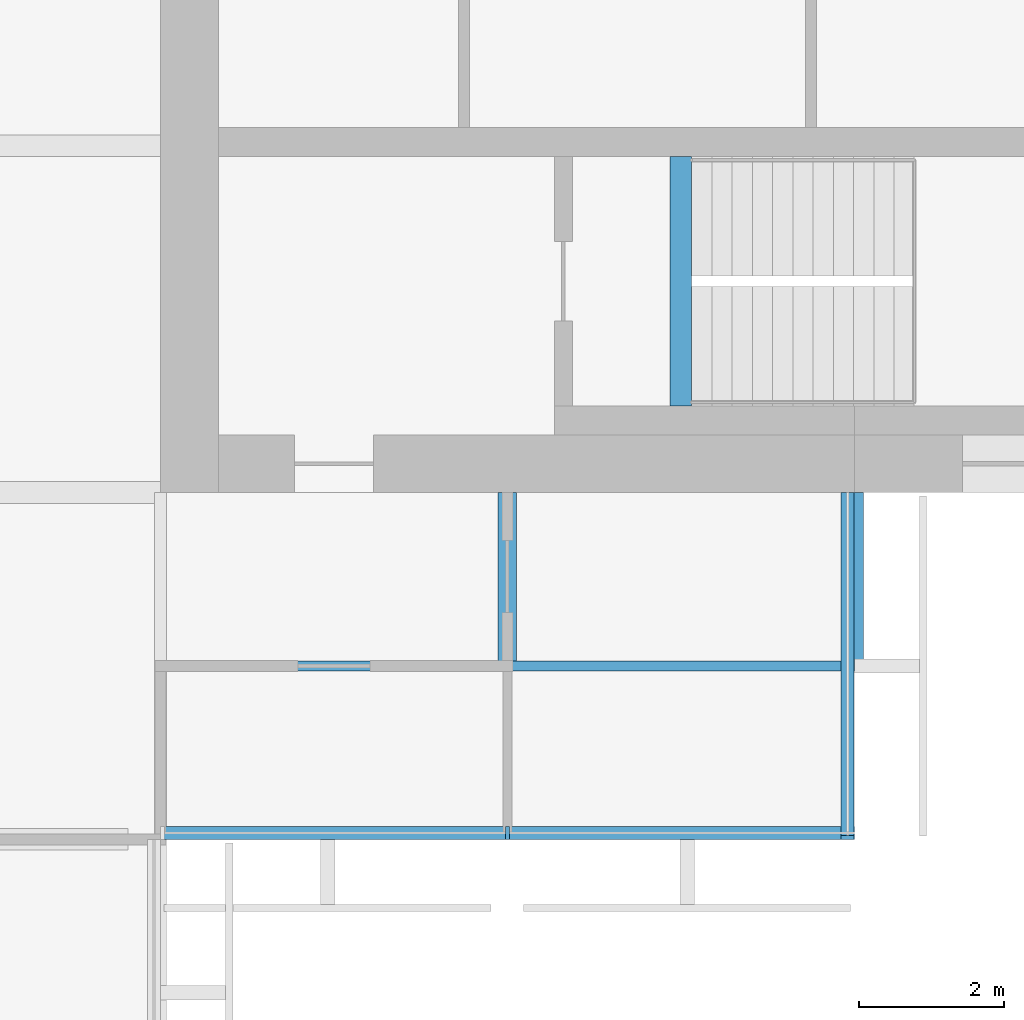
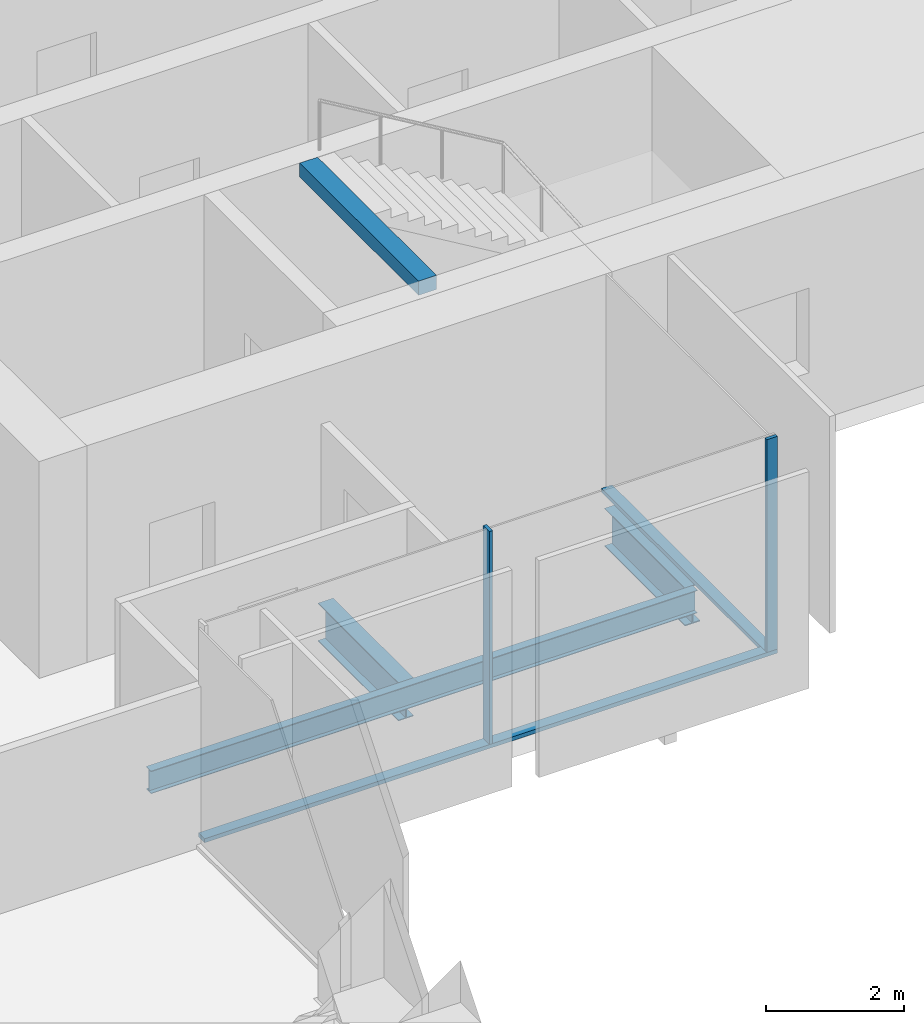
# One storey, part 4 of 13: 4 beams, 4 members, 2 elements without a shape of their own.
"""IFC4 building model written with IfcOpenShell, lengths in metres."""

from ifc_helpers import new_model, si_unit, direction, frame, origin, origin_2d, place, context, subcontext, project, spatial, rectangle, i_section, extrude, material, material_profile, profile_set, type_object, element, aggregate, save


model = new_model("IFC4")

# Units and contexts
model_context = context("Model", 3, precision=1e-05, world=origin(), true_north=direction((0.0, 1.0)))
body_context = subcontext(model_context, "Body", "Model", "MODEL_VIEW")
ifc_project = project(units=[si_unit("LENGTHUNIT", "METRE"), si_unit("AREAUNIT", "SQUARE_METRE"), si_unit("VOLUMEUNIT", "CUBIC_METRE"), si_unit("PLANEANGLEUNIT", "RADIAN"), si_unit("MASSUNIT", "GRAM", prefix="KILO")], contexts=[model_context])

# Site, building, storey
site_placement = place(None, origin())
site = spatial("IfcSite", under=ifc_project, at=site_placement, CompositionType="ELEMENT")
building_placement = place(site_placement, origin())
building = spatial("IfcBuilding", under=site, at=building_placement, Name="Baori Bourse Tower", CompositionType="ELEMENT")
storey_placement = place(building_placement, frame((0.0, 0.0, 193.199951171875)))
storey = spatial("IfcBuildingStorey", under=building, at=storey_placement, Name="L41", CompositionType="ELEMENT", Elevation=193.199951171875)

# Curtain wall, member
ifc_material_1 = material(Name="Pale anodised aluminium", Category="aluminium")
curtain_wall_type = type_object("IfcCurtainWallType", Name="CW2 Curtain wall", PredefinedType="NOTDEFINED", material=ifc_material_1)
curtain_wall_1_placement = place(storey_placement, origin())
curtain_wall_1 = element("IfcCurtainWall", 1, at=curtain_wall_1_placement, inside=storey, type_object=curtain_wall_type, Name="Curtain wall CW2 L41 13", PredefinedType="NOTDEFINED")
ifc_material_2 = material(Name="Pale anodised aluminium", Category="aluminium")
ifc_material_profile_1 = material_profile(ifc_material_2, rectangle(XDim=0.179931640625, YDim=0.054931640625, at=origin_2d()), Name="Mullion 55x180")
ifc_profile_set_1 = profile_set([ifc_material_profile_1], Name="Pale anodised aluminium")
member_type_1 = type_object("IfcMemberType", Name="CW2 Curtain wall mullion", PredefinedType="MULLION", material=ifc_profile_set_1)
member_1_placement = place(storey_placement, frame((43.199951171875, 4.889892578125, 0.070068359375), z_axis=(0.0, 0.0, 1.0), x_axis=(0.0, 1.0, 0.0)))
member_1 = element("IfcMember", 2, at=member_1_placement, type_object=member_type_1, Name="Curtain wall CW2 mullion", PredefinedType="MULLION", context=body_context, shape_type="SweptSolid", body=[
    extrude(rectangle(XDim=0.179931640625, YDim=0.054931640625, at=origin_2d()), origin(), (0.0, 0.0, 1.0), 3.77001953125),
])

curtain_wall_2_placement = place(storey_placement, origin())
curtain_wall_2 = element("IfcCurtainWall", 3, at=curtain_wall_2_placement, inside=storey, type_object=curtain_wall_type, Name="Curtain wall CW2 L41 14", PredefinedType="NOTDEFINED")
member_2_placement = place(storey_placement, frame((47.909912109375, 4.827392578125, 0.070068359375), z_axis=(0.0, 0.0, 1.0), x_axis=(-1.0, 0.0, 0.0)))
member_2 = element("IfcMember", 4, at=member_2_placement, type_object=member_type_1, Name="Curtain wall CW2 mullion", PredefinedType="MULLION", context=body_context, shape_type="SweptSolid", body=[
    extrude(rectangle(XDim=0.179931640625, YDim=0.054931640625, at=origin_2d()), origin(), (0.0, 0.0, 1.0), 3.77001953125),
])

# Member
ifc_material_3 = material(Name="Pale anodised aluminium", Category="aluminium")
ifc_material_profile_2 = material_profile(ifc_material_3, rectangle(XDim=0.179931640625, YDim=0.070068359375, at=origin_2d()), Name="Transom 70x180")
ifc_profile_set_2 = profile_set([ifc_material_profile_2], Name="Pale anodised aluminium")
member_type_2 = type_object("IfcMemberType", Name="CW2 Curtain wall transom", PredefinedType="USERDEFINED", material=ifc_profile_set_2)
member_3_placement = place(storey_placement, frame((38.39990234375, 4.889892578125, 0.03515625), z_axis=(1.0, 0.0, 0.0), x_axis=(0.0, 1.0, 0.0)))
member_3 = element("IfcMember", 5, at=member_3_placement, type_object=member_type_2, Name="Curtain wall CW2 sill rail", ObjectType="TRANSOM", PredefinedType="USERDEFINED", context=body_context, shape_type="SweptSolid", body=[
    extrude(rectangle(XDim=0.179931640625, YDim=0.070068359375, at=origin_2d()), origin(), (0.0, 0.0, 1.0), 9.60009765625),
])

aggregate(curtain_wall_1, [member_3, member_1])

member_4_placement = place(storey_placement, frame((47.909912109375, 4.800048828125, 0.03515625), z_axis=(0.0, 1.0, 0.0), x_axis=(-1.0, 0.0, 0.0)))
member_4 = element("IfcMember", 6, at=member_4_placement, type_object=member_type_2, Name="Curtain wall CW2 sill rail", ObjectType="TRANSOM", PredefinedType="USERDEFINED", context=body_context, shape_type="SweptSolid", body=[
    extrude(rectangle(XDim=0.179931640625, YDim=0.070068359375, at=origin_2d()), origin(), (0.0, 0.0, 1.0), 4.800048828125),
])

aggregate(curtain_wall_2, [member_4, member_2])

# Beams
ifc_material_4 = material(Name="Steel A992 Gr 50", Category="steel")
ifc_material_profile_3 = material_profile(ifc_material_4, i_section(OverallWidth=0.25390625, OverallDepth=0.67822265625, WebThickness=0.01171875, FlangeThickness=0.016357421875, at=origin_2d()), Name="W27x84")
ifc_profile_set_3 = profile_set([ifc_material_profile_3], Name="Steel A992 Gr 50")
beam_type_1 = type_object("IfcBeamType", Name="Core bracket W27x84", PredefinedType="BEAM", material=ifc_profile_set_3)
for number, where, z_axis, x_axis, name in (
    (7, (43.199951171875, 7.270263671875, -0.63916015625), (0.0, 1.0, 0.0), (-1.0, 0.0, 0.0), "Core bracket L41"),
    (8, (48.0, 7.270263671875, -0.63916015625), (0.0, 1.0, 0.0), (-1.0, 0.0, 0.0), "Core bracket L41"),
):
    element("IfcBeam", number, at=place(storey_placement, frame(where, z_axis=z_axis, x_axis=x_axis)), inside=storey, type_object=beam_type_1, Name=name, PredefinedType="BEAM", context=body_context, shape_type="SweptSolid", body=[
        extrude(i_section(OverallWidth=0.25390625, OverallDepth=0.67822265625, WebThickness=0.01171875, FlangeThickness=0.016357421875, at=origin_2d()), origin(), (0.0, 0.0, 1.0), 2.329833984375),
    ])
ifc_material_5 = material(Name="Concrete f'c 50 MPa", Category="concrete")
ifc_material_profile_4 = material_profile(ifc_material_5, rectangle(XDim=0.300048828125, YDim=0.25, at=origin_2d()), Name="RC 300x250")
ifc_profile_set_4 = profile_set([ifc_material_profile_4], Name="Concrete f'c 50 MPa")
beam_type_2 = type_object("IfcBeamType", Name="Stair nib beam RC 300x250", PredefinedType="BEAM", material=ifc_profile_set_4)
beam_1_placement = place(storey_placement, frame((45.60009765625, 10.800048828125, 3.715087890625), z_axis=(0.0, 1.0, 0.0), x_axis=(-1.0, 0.0, 0.0)))
element("IfcBeam", 9, at=beam_1_placement, inside=storey, type_object=beam_type_2, Name="Stair EA nib beam L42", PredefinedType="BEAM", context=body_context, shape_type="SweptSolid", body=[
    extrude(rectangle(XDim=0.300048828125, YDim=0.25, at=origin_2d()), origin(), (0.0, 0.0, 1.0), 3.449951171875),
])
ifc_material_6 = material(Name="Steel A992 Gr 50", Category="steel")
ifc_material_profile_5 = material_profile(ifc_material_6, i_section(OverallWidth=0.140380859375, OverallDepth=0.40380859375, WebThickness=0.007080078125, FlangeThickness=0.01123046875, at=origin_2d()), Name="W16x31")
ifc_profile_set_5 = profile_set([ifc_material_profile_5], Name="Steel A992 Gr 50")
beam_type_3 = type_object("IfcBeamType", Name="Trimmer beam W16x31", PredefinedType="BEAM", material=ifc_profile_set_5)
beam_2_placement = place(storey_placement, frame((38.85009765625, 7.199951171875, -0.501953125), z_axis=(1.0, 0.0, 0.0), x_axis=(0.0, 1.0, 0.0)))
element("IfcBeam", 10, at=beam_2_placement, inside=storey, type_object=beam_type_3, Name="Trimmer beam L41", PredefinedType="BEAM", context=body_context, shape_type="SweptSolid", body=[
    extrude(i_section(OverallWidth=0.140380859375, OverallDepth=0.40380859375, WebThickness=0.007080078125, FlangeThickness=0.01123046875, at=origin_2d()), origin(), (0.0, 0.0, 1.0), 9.14990234375),
])

save(model, "model.ifc")
